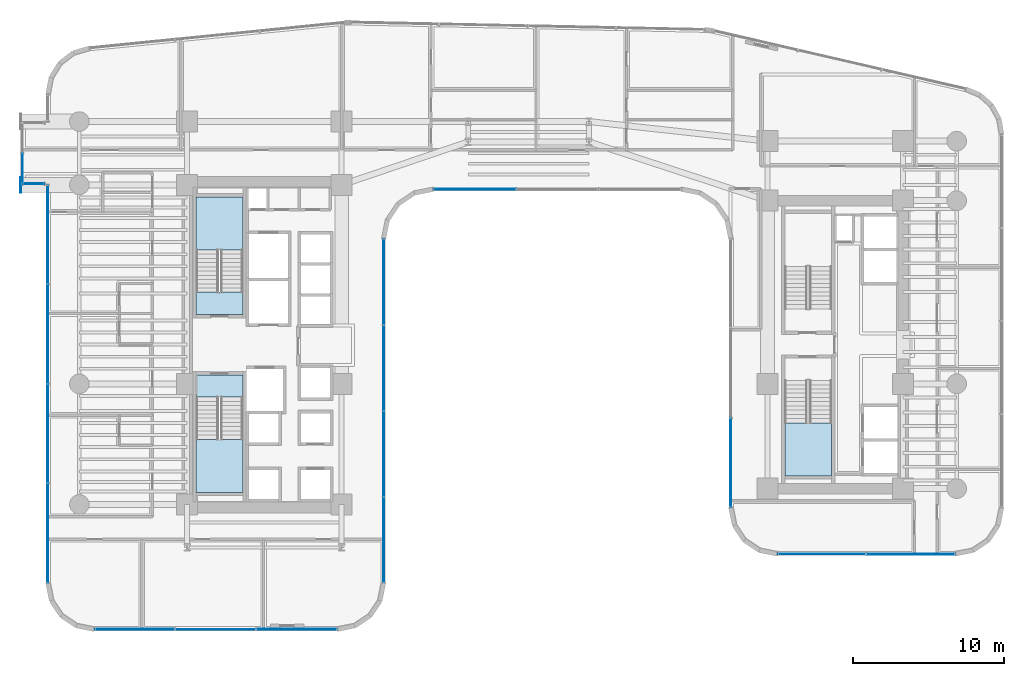
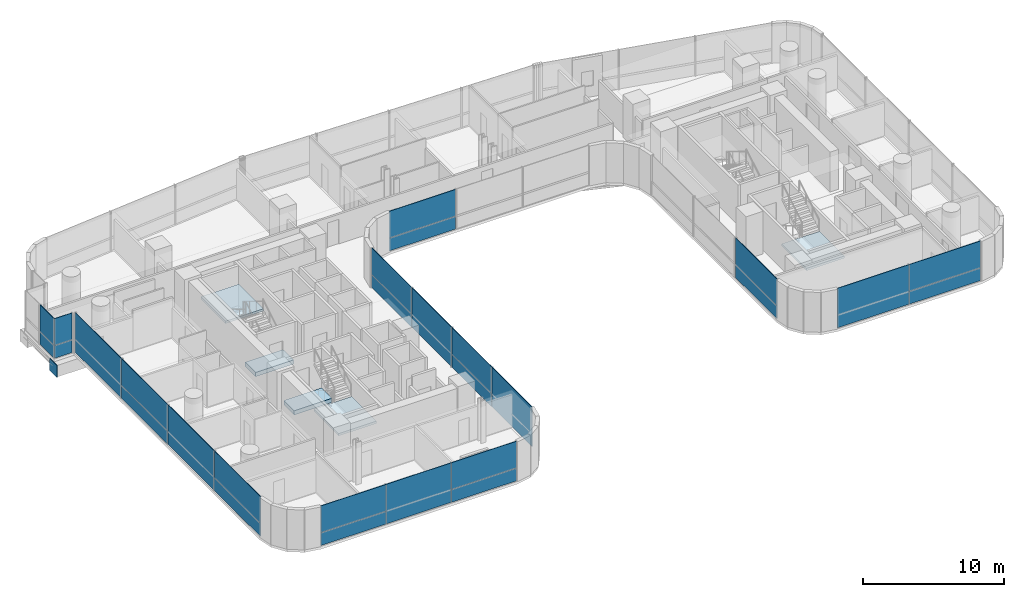
# One storey, part 29 of 41: 29 plates, 5 slabs, 11 elements without a shape of their own.
"""IFC4 building model written with IfcOpenShell, lengths in metres."""

from ifc_helpers import new_model, si_unit, direction, frame, origin, origin_2d, place, context, subcontext, project, spatial, polyline, rectangle, outline, extrude, source, transform, mapped, material, layer, layer_set, type_object, element, aggregate, save


model = new_model("IFC4")

# Units and contexts
model_context = context("Model", 3, precision=1e-05, world=origin(), true_north=direction((0.0, 1.0)))
body_context = subcontext(model_context, "Body", "Model", "MODEL_VIEW")
ifc_project = project(units=[si_unit("LENGTHUNIT", "METRE"), si_unit("AREAUNIT", "SQUARE_METRE"), si_unit("VOLUMEUNIT", "CUBIC_METRE"), si_unit("PLANEANGLEUNIT", "RADIAN"), si_unit("MASSUNIT", "GRAM", prefix="KILO")], contexts=[model_context])

# Site, building, storey
site_placement = place(None, origin())
site = spatial("IfcSite", under=ifc_project, at=site_placement, CompositionType="ELEMENT")
building_placement = place(site_placement, origin())
building = spatial("IfcBuilding", under=site, at=building_placement, Name="Valdorenza Pilgrim Sanctuary Tower", CompositionType="ELEMENT")
storey_placement = place(building_placement, frame((0.0, 0.0, 85.199951171875)))
storey = spatial("IfcBuildingStorey", under=building, at=storey_placement, Name="L21", CompositionType="ELEMENT", Elevation=85.199951171875)

# Stair, slab
ifc_material_1 = material(Name="Concrete C40/50", Category="concrete")
stair_type = type_object("IfcStairType", Name="STR-DOG-CORE", PredefinedType="HALF_TURN_STAIR", material=ifc_material_1)
stair_1_placement = place(storey_placement, origin())
stair_1 = element("IfcStair", 1, at=stair_1_placement, inside=storey, type_object=stair_type, Name="L21 ST-A1", PredefinedType="HALF_TURN_STAIR")
ifc_layer_1 = layer(ifc_material_1, 0.199951171875, Name="Concrete C40/50")
ifc_layer_set_1 = layer_set([ifc_layer_1], Name="Concrete C40/50")
slab_type_1 = type_object("IfcSlabType", Name="SLAB-STL-200", PredefinedType="LANDING", material=ifc_layer_set_1)
slab_1_placement = place(storey_placement, frame((0.0, 0.0, 1.650146484375)))
slab_1 = element("IfcSlab", 2, at=slab_1_placement, type_object=slab_type_1, Name="ST-A1 landing 1", PredefinedType="LANDING", context=body_context, shape_type="SweptSolid", body=[
    extrude(outline(polyline([(-18.93994140625, 6.280029296875), (-18.93994140625, 9.800048828125), (-22.050048828125, 9.800048828125), (-22.050048828125, 6.280029296875), (-18.93994140625, 6.280029296875)])), origin(), (0.0, 0.0, 1.0), 0.199951171875),
])
aggregate(stair_1, [slab_1])

stair_2_placement = place(storey_placement, origin())
stair_2 = element("IfcStair", 3, at=stair_2_placement, inside=storey, type_object=stair_type, Name="L21 ST-A2", PredefinedType="HALF_TURN_STAIR")
slab_2_placement = place(storey_placement, frame((0.0, 0.0, 1.650146484375)))
slab_2 = element("IfcSlab", 4, at=slab_2_placement, type_object=slab_type_1, Name="ST-A2 landing 1", PredefinedType="LANDING", context=body_context, shape_type="SweptSolid", body=[
    extrude(outline(polyline([(-22.050048828125, -6.280029296875), (-22.050048828125, -9.800048828125), (-18.93994140625, -9.800048828125), (-18.93994140625, -6.280029296875), (-22.050048828125, -6.280029296875)])), origin(), (0.0, 0.0, 1.0), 0.199951171875),
])
aggregate(stair_2, [slab_2])

stair_3_placement = place(storey_placement, origin())
stair_3 = element("IfcStair", 5, at=stair_3_placement, inside=storey, type_object=stair_type, Name="L21 ST-B2", PredefinedType="HALF_TURN_STAIR")
slab_3_placement = place(storey_placement, frame((0.0, 0.0, 1.650146484375)))
slab_3 = element("IfcSlab", 6, at=slab_3_placement, type_object=slab_type_1, Name="ST-B2 landing 1", PredefinedType="LANDING", context=body_context, shape_type="SweptSolid", body=[
    extrude(outline(polyline([(17.0, -5.179931640625), (17.0, -8.699951171875), (20.110107421875, -8.699951171875), (20.110107421875, -5.179931640625), (17.0, -5.179931640625)])), origin(), (0.0, 0.0, 1.0), 0.199951171875),
])
aggregate(stair_3, [slab_3])

# Slabs
ifc_material_2 = material(Name="Concrete C50/60", Category="concrete")
ifc_layer_2 = layer(ifc_material_2, 0.39990234375, Name="Concrete C50/60")
ifc_layer_set_2 = layer_set([ifc_layer_2], Name="Concrete C50/60")
slab_type_2 = type_object("IfcSlabType", Name="SLAB-TRF-400", PredefinedType="FLOOR", material=ifc_layer_set_2)
slab_4_placement = place(storey_placement, frame((0.0, 0.0, -0.35986328125)))
element("IfcSlab", 7, at=slab_4_placement, inside=storey, type_object=slab_type_2, Name="L21 ST-A1 Structural Stair Landing Bearing Slab", PredefinedType="FLOOR", context=body_context, shape_type="SweptSolid", body=[
    extrude(outline(polyline([(-22.050048828125, 2.0), (-18.93994140625, 2.0), (-18.93994140625, 3.485107421875), (-22.050048828125, 3.485107421875), (-22.050048828125, 2.0)])), origin(), (0.0, 0.0, 1.0), 0.35986328125),
])
slab_5_placement = place(storey_placement, frame((0.0, 0.0, -0.35986328125)))
element("IfcSlab", 8, at=slab_5_placement, inside=storey, type_object=slab_type_2, Name="L21 ST-A2 Structural Stair Landing Bearing Slab", PredefinedType="FLOOR", context=body_context, shape_type="SweptSolid", body=[
    extrude(outline(polyline([(-22.050048828125, -3.485107421875), (-18.93994140625, -3.485107421875), (-18.93994140625, -2.0), (-22.050048828125, -2.0), (-22.050048828125, -3.485107421875)])), origin(), (0.0, 0.0, 1.0), 0.35986328125),
])

# Plate
ifc_material_3 = material(Name="Steel ASTM A572 Grade 42", Category="steel")
ifc_layer_3 = layer(ifc_material_3, 0.06005859375, Name="Steel ASTM A572 Grade 42")
ifc_layer_set_3 = layer_set([ifc_layer_3], Name="Steel ASTM A572 Grade 42")
plate_type_1 = type_object("IfcPlateType", Name="PLT-CAP-60", PredefinedType="SHEET", material=ifc_layer_set_3)
shared_shape_1 = source(origin(), body_context, "Body", "SweptSolid", [
    extrude(rectangle(XDim=0.06005859375, YDim=1.0400390625, at=origin_2d()), origin(), (0.0, 0.0, 1.0), 1.0400390625),
])
plate_1_placement = place(storey_placement, frame((-33.679931640625, 10.60009765625, -1.260009765625), z_axis=(0.0, 0.0, 1.0), x_axis=(1.0, 0.0, 0.0)))
element("IfcPlate", 9, at=plate_1_placement, inside=storey, type_object=plate_type_1, Name="L21 BOX-WA-L21 Cantilever Tip End Cap S", PredefinedType="SHEET", context=body_context, shape_type="MappedRepresentation", body=[
    mapped(shared_shape_1, transform((0.0, 0.0, 0.0), x_axis=(1.0, 0.0, 0.0), y_axis=(0.0, 1.0, 0.0), z_axis=(0.0, 0.0, 1.0), scale=1.0)),
])

# Curtain wall, plates
ifc_material_4 = material(Name="Curtain-wall IGU glazing", Category="glass")
curtain_wall_type_1 = type_object("IfcCurtainWallType", Name="CW-SYS-03", PredefinedType="NOTDEFINED", material=ifc_material_4)
curtain_wall_1_placement = place(storey_placement, origin())
curtain_wall_1 = element("IfcCurtainWall", 10, at=curtain_wall_1_placement, inside=storey, type_object=curtain_wall_type_1, Name="L21 Curtain Wall CW-L21-1-26", PredefinedType="NOTDEFINED")
ifc_material_5 = material(Name="Honed travertine limestone", Category="masonry")
ifc_layer_4 = layer(ifc_material_5, 0.050048828125, Name="Honed travertine limestone")
ifc_layer_set_4 = layer_set([ifc_layer_4], Name="Honed travertine limestone")
plate_type_2 = type_object("IfcPlateType", Name="CW-SPN-TRV", PredefinedType="USERDEFINED", material=ifc_layer_set_4)
shared_shape_2 = source(origin(), body_context, "Body", "SweptSolid", [
    extrude(rectangle(XDim=5.869140625, YDim=0.06005859375, at=origin_2d()), origin(), (0.0, 0.0, 1.0), 1.10009765625),
])
plate_2_placement = place(storey_placement, frame((25.344482421875, -13.889892578125, 0.010009765625), z_axis=(0.0, 0.0, 1.0), x_axis=(-1.0, 0.0, 0.0)))
plate_2 = element("IfcPlate", 11, at=plate_2_placement, type_object=plate_type_2, Name="CW-L21-1-26 Travertine Spandrel 1", ObjectType="SPANDREL", PredefinedType="USERDEFINED", context=body_context, shape_type="MappedRepresentation", body=[
    mapped(shared_shape_2, transform((0.0, 0.0, 0.0), x_axis=(1.0, 0.0, 0.0), y_axis=(0.0, 1.0, 0.0), z_axis=(0.0, 0.0, 1.0), scale=1.0)),
])
ifc_material_6 = material(Name="Ceramic-fritted low-E IGU glazing", Category="glass")
ifc_layer_5 = layer(ifc_material_6, 0.035888671875, Name="Ceramic-fritted low-E IGU glazing")
ifc_layer_set_5 = layer_set([ifc_layer_5], Name="Ceramic-fritted low-E IGU glazing")
plate_type_3 = type_object("IfcPlateType", Name="CW-GLZ-IGU", PredefinedType="USERDEFINED", material=ifc_layer_set_5)
shared_shape_3 = source(origin(), body_context, "Body", "SweptSolid", [
    extrude(rectangle(XDim=5.869140625, YDim=0.050048828125, at=origin_2d()), origin(), (0.0, 0.0, 1.0), 2.320068359375),
])
plate_3_placement = place(storey_placement, frame((25.344482421875, -13.889892578125, 1.1298828125), z_axis=(0.0, 0.0, 1.0), x_axis=(-1.0, 0.0, 0.0)))
plate_3 = element("IfcPlate", 12, at=plate_3_placement, type_object=plate_type_3, Name="CW-L21-1-26 Facade Panel 1", ObjectType="GLAZING", PredefinedType="USERDEFINED", context=body_context, shape_type="MappedRepresentation", body=[
    mapped(shared_shape_3, transform((0.0, 0.0, 0.0), x_axis=(1.0, 0.0, 0.0), y_axis=(0.0, 1.0, 0.0), z_axis=(0.0, 0.0, 1.0), scale=1.0)),
])
shared_shape_4 = source(origin(), body_context, "Body", "SweptSolid", [
    extrude(rectangle(XDim=5.869140625, YDim=0.050048828125, at=origin_2d()), origin(), (0.0, 0.0, 1.0), 3.43994140625),
])
plate_4_placement = place(storey_placement, frame((19.455322265625, -13.889892578125, 0.010009765625), z_axis=(0.0, 0.0, 1.0), x_axis=(-1.0, 0.0, 0.0)))
plate_4 = element("IfcPlate", 13, at=plate_4_placement, type_object=plate_type_3, Name="CW-L21-1-26 Full-Height Facade Panel 2", ObjectType="GLAZING", PredefinedType="USERDEFINED", context=body_context, shape_type="MappedRepresentation", body=[
    mapped(shared_shape_4, transform((0.0, 0.0, 0.0), x_axis=(1.0, 0.0, 0.0), y_axis=(0.0, 1.0, 0.0), z_axis=(0.0, 0.0, 1.0), scale=1.0)),
])
aggregate(curtain_wall_1, [plate_2, plate_3, plate_4])

curtain_wall_2_placement = place(storey_placement, origin())
curtain_wall_2 = element("IfcCurtainWall", 14, at=curtain_wall_2_placement, inside=storey, type_object=curtain_wall_type_1, Name="L21 Curtain Wall CW-L21-1-31", PredefinedType="NOTDEFINED")
shared_shape_5 = source(origin(), body_context, "Body", "SweptSolid", [
    extrude(rectangle(XDim=5.913330078125, YDim=0.06005859375, at=origin_2d()), origin(), (0.0, 0.0, 1.0), 1.10009765625),
])
plate_5_placement = place(storey_placement, frame((13.409912109375, -7.822509765625, 0.010009765625), z_axis=(0.0, 0.0, 1.0), x_axis=(0.0, 1.0, 0.0)))
plate_5 = element("IfcPlate", 15, at=plate_5_placement, type_object=plate_type_2, Name="CW-L21-1-31 Travertine Spandrel 1", ObjectType="SPANDREL", PredefinedType="USERDEFINED", context=body_context, shape_type="MappedRepresentation", body=[
    mapped(shared_shape_5, transform((0.0, 0.0, 0.0), x_axis=(1.0, 0.0, 0.0), y_axis=(0.0, 1.0, 0.0), z_axis=(0.0, 0.0, 1.0), scale=1.0)),
])
shared_shape_6 = source(origin(), body_context, "Body", "SweptSolid", [
    extrude(rectangle(XDim=5.913330078125, YDim=0.050048828125, at=origin_2d()), origin(), (0.0, 0.0, 1.0), 2.320068359375),
])
plate_6_placement = place(storey_placement, frame((13.409912109375, -7.822509765625, 1.1298828125), z_axis=(0.0, 0.0, 1.0), x_axis=(0.0, 1.0, 0.0)))
plate_6 = element("IfcPlate", 16, at=plate_6_placement, type_object=plate_type_3, Name="CW-L21-1-31 Facade Panel 1", ObjectType="GLAZING", PredefinedType="USERDEFINED", context=body_context, shape_type="MappedRepresentation", body=[
    mapped(shared_shape_6, transform((0.0, 0.0, 0.0), x_axis=(1.0, 0.0, 0.0), y_axis=(0.0, 1.0, 0.0), z_axis=(0.0, 0.0, 1.0), scale=1.0)),
])
aggregate(curtain_wall_2, [plate_5, plate_6])

curtain_wall_type_2 = type_object("IfcCurtainWallType", Name="CW-SYS-02", PredefinedType="NOTDEFINED", material=ifc_material_4)
curtain_wall_3_placement = place(storey_placement, origin())
curtain_wall_3 = element("IfcCurtainWall", 17, at=curtain_wall_3_placement, inside=storey, type_object=curtain_wall_type_2, Name="L21 Curtain Wall CW-L21-1-36", PredefinedType="NOTDEFINED")
shared_shape_7 = source(origin(), body_context, "Body", "SweptSolid", [
    extrude(rectangle(XDim=5.453857421875, YDim=0.06005859375, at=origin_2d()), origin(), (0.0, 0.0, 1.0), 1.10009765625),
])
plate_7_placement = place(storey_placement, frame((-3.573974609375, 10.31005859375, 0.010009765625), z_axis=(0.0, 0.0, 1.0), x_axis=(-1.0, 0.0, 0.0)))
plate_7 = element("IfcPlate", 18, at=plate_7_placement, type_object=plate_type_2, Name="CW-L21-1-36 Travertine Spandrel 3", ObjectType="SPANDREL", PredefinedType="USERDEFINED", context=body_context, shape_type="MappedRepresentation", body=[
    mapped(shared_shape_7, transform((0.0, 0.0, 0.0), x_axis=(1.0, 0.0, 0.0), y_axis=(0.0, 1.0, 0.0), z_axis=(0.0, 0.0, 1.0), scale=1.0)),
])
shared_shape_8 = source(origin(), body_context, "Body", "SweptSolid", [
    extrude(rectangle(XDim=5.453857421875, YDim=0.050048828125, at=origin_2d()), origin(), (0.0, 0.0, 1.0), 2.320068359375),
])
plate_8_placement = place(storey_placement, frame((-3.573974609375, 10.31005859375, 1.1298828125), z_axis=(0.0, 0.0, 1.0), x_axis=(-1.0, 0.0, 0.0)))
plate_8 = element("IfcPlate", 19, at=plate_8_placement, type_object=plate_type_3, Name="CW-L21-1-36 Facade Panel 3", ObjectType="GLAZING", PredefinedType="USERDEFINED", context=body_context, shape_type="MappedRepresentation", body=[
    mapped(shared_shape_8, transform((0.0, 0.0, 0.0), x_axis=(1.0, 0.0, 0.0), y_axis=(0.0, 1.0, 0.0), z_axis=(0.0, 0.0, 1.0), scale=1.0)),
])
aggregate(curtain_wall_3, [plate_7, plate_8])

curtain_wall_4_placement = place(storey_placement, origin())
curtain_wall_4 = element("IfcCurtainWall", 20, at=curtain_wall_4_placement, inside=storey, type_object=curtain_wall_type_2, Name="L21 Curtain Wall CW-L21-1-41", PredefinedType="NOTDEFINED")
shared_shape_9 = source(origin(), body_context, "Body", "SweptSolid", [
    extrude(rectangle(XDim=5.679931640625, YDim=0.06005859375, at=origin_2d()), origin(), (0.0, 0.0, 1.0), 1.10009765625),
])
plate_9_placement = place(storey_placement, frame((-9.610107421875, 4.160888671875, 0.010009765625), z_axis=(0.0, 0.0, 1.0), x_axis=(0.0, -1.0, 0.0)))
plate_9 = element("IfcPlate", 21, at=plate_9_placement, type_object=plate_type_2, Name="CW-L21-1-41 Travertine Spandrel 1", ObjectType="SPANDREL", PredefinedType="USERDEFINED", context=body_context, shape_type="MappedRepresentation", body=[
    mapped(shared_shape_9, transform((0.0, 0.0, 0.0), x_axis=(1.0, 0.0, 0.0), y_axis=(0.0, 1.0, 0.0), z_axis=(0.0, 0.0, 1.0), scale=1.0)),
])
plate_10_placement = place(storey_placement, frame((-9.610107421875, -7.2392578125, 0.010009765625), z_axis=(0.0, 0.0, 1.0), x_axis=(0.0, -1.0, 0.0)))
plate_10 = element("IfcPlate", 22, at=plate_10_placement, type_object=plate_type_2, Name="CW-L21-1-41 Travertine Spandrel 3", ObjectType="SPANDREL", PredefinedType="USERDEFINED", context=body_context, shape_type="MappedRepresentation", body=[
    mapped(shared_shape_9, transform((0.0, 0.0, 0.0), x_axis=(1.0, 0.0, 0.0), y_axis=(0.0, 1.0, 0.0), z_axis=(0.0, 0.0, 1.0), scale=1.0)),
])
shared_shape_10 = source(origin(), body_context, "Body", "SweptSolid", [
    extrude(rectangle(XDim=5.679931640625, YDim=0.050048828125, at=origin_2d()), origin(), (0.0, 0.0, 1.0), 2.320068359375),
])
plate_11_placement = place(storey_placement, frame((-9.610107421875, 4.160888671875, 1.1298828125), z_axis=(0.0, 0.0, 1.0), x_axis=(0.0, -1.0, 0.0)))
plate_11 = element("IfcPlate", 23, at=plate_11_placement, type_object=plate_type_3, Name="CW-L21-1-41 Facade Panel 1", ObjectType="GLAZING", PredefinedType="USERDEFINED", context=body_context, shape_type="MappedRepresentation", body=[
    mapped(shared_shape_10, transform((0.0, 0.0, 0.0), x_axis=(1.0, 0.0, 0.0), y_axis=(0.0, 1.0, 0.0), z_axis=(0.0, 0.0, 1.0), scale=1.0)),
])
plate_12_placement = place(storey_placement, frame((-9.610107421875, -7.2392578125, 1.1298828125), z_axis=(0.0, 0.0, 1.0), x_axis=(0.0, -1.0, 0.0)))
plate_12 = element("IfcPlate", 24, at=plate_12_placement, type_object=plate_type_3, Name="CW-L21-1-41 Facade Panel 3", ObjectType="GLAZING", PredefinedType="USERDEFINED", context=body_context, shape_type="MappedRepresentation", body=[
    mapped(shared_shape_10, transform((0.0, 0.0, 0.0), x_axis=(1.0, 0.0, 0.0), y_axis=(0.0, 1.0, 0.0), z_axis=(0.0, 0.0, 1.0), scale=1.0)),
])
shared_shape_11 = source(origin(), body_context, "Body", "SweptSolid", [
    extrude(rectangle(XDim=5.679931640625, YDim=0.050048828125, at=origin_2d()), origin(), (0.0, 0.0, 1.0), 3.43994140625),
])
plate_13_placement = place(storey_placement, frame((-9.610107421875, -1.539306640625, 0.010009765625), z_axis=(0.0, 0.0, 1.0), x_axis=(0.0, -1.0, 0.0)))
plate_13 = element("IfcPlate", 25, at=plate_13_placement, type_object=plate_type_3, Name="CW-L21-1-41 Full-Height Facade Panel 2", ObjectType="GLAZING", PredefinedType="USERDEFINED", context=body_context, shape_type="MappedRepresentation", body=[
    mapped(shared_shape_11, transform((0.0, 0.0, 0.0), x_axis=(1.0, 0.0, 0.0), y_axis=(0.0, 1.0, 0.0), z_axis=(0.0, 0.0, 1.0), scale=1.0)),
])
plate_14_placement = place(storey_placement, frame((-9.610107421875, -12.939208984375, 0.010009765625), z_axis=(0.0, 0.0, 1.0), x_axis=(0.0, -1.0, 0.0)))
plate_14 = element("IfcPlate", 26, at=plate_14_placement, type_object=plate_type_3, Name="CW-L21-1-41 Full-Height Facade Panel 4", ObjectType="GLAZING", PredefinedType="USERDEFINED", context=body_context, shape_type="MappedRepresentation", body=[
    mapped(shared_shape_11, transform((0.0, 0.0, 0.0), x_axis=(1.0, 0.0, 0.0), y_axis=(0.0, 1.0, 0.0), z_axis=(0.0, 0.0, 1.0), scale=1.0)),
])
aggregate(curtain_wall_4, [plate_9, plate_11, plate_13, plate_10, plate_12, plate_14])

curtain_wall_5_placement = place(storey_placement, origin())
curtain_wall_5 = element("IfcCurtainWall", 27, at=curtain_wall_5_placement, inside=storey, type_object=curtain_wall_type_2, Name="L21 Curtain Wall CW-L21-1-46", PredefinedType="NOTDEFINED")
shared_shape_12 = source(origin(), body_context, "Body", "SweptSolid", [
    extrude(rectangle(XDim=5.339599609375, YDim=0.06005859375, at=origin_2d()), origin(), (0.0, 0.0, 1.0), 1.10009765625),
])
plate_15_placement = place(storey_placement, frame((-15.390380859375, -18.889892578125, 0.010009765625), z_axis=(0.0, 0.0, 1.0), x_axis=(-1.0, 0.0, 0.0)))
plate_15 = element("IfcPlate", 28, at=plate_15_placement, type_object=plate_type_2, Name="CW-L21-1-46 Travertine Spandrel 1", ObjectType="SPANDREL", PredefinedType="USERDEFINED", context=body_context, shape_type="MappedRepresentation", body=[
    mapped(shared_shape_12, transform((0.0, 0.0, 0.0), x_axis=(1.0, 0.0, 0.0), y_axis=(0.0, 1.0, 0.0), z_axis=(0.0, 0.0, 1.0), scale=1.0)),
])
plate_16_placement = place(storey_placement, frame((-26.109619140625, -18.889892578125, 0.010009765625), z_axis=(0.0, 0.0, 1.0), x_axis=(-1.0, 0.0, 0.0)))
plate_16 = element("IfcPlate", 29, at=plate_16_placement, type_object=plate_type_2, Name="CW-L21-1-46 Travertine Spandrel 3", ObjectType="SPANDREL", PredefinedType="USERDEFINED", context=body_context, shape_type="MappedRepresentation", body=[
    mapped(shared_shape_12, transform((0.0, 0.0, 0.0), x_axis=(1.0, 0.0, 0.0), y_axis=(0.0, 1.0, 0.0), z_axis=(0.0, 0.0, 1.0), scale=1.0)),
])
shared_shape_13 = source(origin(), body_context, "Body", "SweptSolid", [
    extrude(rectangle(XDim=5.339599609375, YDim=0.050048828125, at=origin_2d()), origin(), (0.0, 0.0, 1.0), 2.320068359375),
])
plate_17_placement = place(storey_placement, frame((-15.390380859375, -18.889892578125, 1.1298828125), z_axis=(0.0, 0.0, 1.0), x_axis=(-1.0, 0.0, 0.0)))
plate_17 = element("IfcPlate", 30, at=plate_17_placement, type_object=plate_type_3, Name="CW-L21-1-46 Facade Panel 1", ObjectType="GLAZING", PredefinedType="USERDEFINED", context=body_context, shape_type="MappedRepresentation", body=[
    mapped(shared_shape_13, transform((0.0, 0.0, 0.0), x_axis=(1.0, 0.0, 0.0), y_axis=(0.0, 1.0, 0.0), z_axis=(0.0, 0.0, 1.0), scale=1.0)),
])
plate_18_placement = place(storey_placement, frame((-26.109619140625, -18.889892578125, 1.1298828125), z_axis=(0.0, 0.0, 1.0), x_axis=(-1.0, 0.0, 0.0)))
plate_18 = element("IfcPlate", 31, at=plate_18_placement, type_object=plate_type_3, Name="CW-L21-1-46 Facade Panel 3", ObjectType="GLAZING", PredefinedType="USERDEFINED", context=body_context, shape_type="MappedRepresentation", body=[
    mapped(shared_shape_13, transform((0.0, 0.0, 0.0), x_axis=(1.0, 0.0, 0.0), y_axis=(0.0, 1.0, 0.0), z_axis=(0.0, 0.0, 1.0), scale=1.0)),
])
shared_shape_14 = source(origin(), body_context, "Body", "SweptSolid", [
    extrude(rectangle(XDim=5.339599609375, YDim=0.050048828125, at=origin_2d()), origin(), (0.0, 0.0, 1.0), 3.43994140625),
])
plate_19_placement = place(storey_placement, frame((-20.75, -18.889892578125, 0.010009765625), z_axis=(0.0, 0.0, 1.0), x_axis=(-1.0, 0.0, 0.0)))
plate_19 = element("IfcPlate", 32, at=plate_19_placement, type_object=plate_type_3, Name="CW-L21-1-46 Full-Height Facade Panel 2", ObjectType="GLAZING", PredefinedType="USERDEFINED", context=body_context, shape_type="MappedRepresentation", body=[
    mapped(shared_shape_14, transform((0.0, 0.0, 0.0), x_axis=(1.0, 0.0, 0.0), y_axis=(0.0, 1.0, 0.0), z_axis=(0.0, 0.0, 1.0), scale=1.0)),
])
aggregate(curtain_wall_5, [plate_15, plate_17, plate_19, plate_16, plate_18])

curtain_wall_6_placement = place(storey_placement, origin())
curtain_wall_6 = element("IfcCurtainWall", 33, at=curtain_wall_6_placement, inside=storey, type_object=curtain_wall_type_2, Name="L21 Curtain Wall CW-L21-BOX-WA-L21-S", PredefinedType="NOTDEFINED")
shared_shape_15 = source(origin(), body_context, "Body", "SweptSolid", [
    extrude(rectangle(XDim=1.43994140625, YDim=0.06005859375, at=origin_2d()), origin(), (0.0, 0.0, 1.0), 1.10009765625),
])
plate_20_placement = place(storey_placement, frame((-32.840087890625, 10.679931640625, 0.010009765625), z_axis=(0.0, 0.0, 1.0), x_axis=(-1.0, 0.0, 0.0)))
plate_20 = element("IfcPlate", 34, at=plate_20_placement, type_object=plate_type_2, Name="CW-L21-BOX-WA-L21-S Travertine Spandrel 1", ObjectType="SPANDREL", PredefinedType="USERDEFINED", context=body_context, shape_type="MappedRepresentation", body=[
    mapped(shared_shape_15, transform((0.0, 0.0, 0.0), x_axis=(1.0, 0.0, 0.0), y_axis=(0.0, 1.0, 0.0), z_axis=(0.0, 0.0, 1.0), scale=1.0)),
])
shared_shape_16 = source(origin(), body_context, "Body", "SweptSolid", [
    extrude(rectangle(XDim=1.43994140625, YDim=0.050048828125, at=origin_2d()), origin(), (0.0, 0.0, 1.0), 2.320068359375),
])
plate_21_placement = place(storey_placement, frame((-32.840087890625, 10.679931640625, 1.1298828125), z_axis=(0.0, 0.0, 1.0), x_axis=(-1.0, 0.0, 0.0)))
plate_21 = element("IfcPlate", 35, at=plate_21_placement, type_object=plate_type_3, Name="CW-L21-BOX-WA-L21-S Facade Panel 1", ObjectType="GLAZING", PredefinedType="USERDEFINED", context=body_context, shape_type="MappedRepresentation", body=[
    mapped(shared_shape_16, transform((0.0, 0.0, 0.0), x_axis=(1.0, 0.0, 0.0), y_axis=(0.0, 1.0, 0.0), z_axis=(0.0, 0.0, 1.0), scale=1.0)),
])
aggregate(curtain_wall_6, [plate_20, plate_21])

curtain_wall_7_placement = place(storey_placement, origin())
curtain_wall_7 = element("IfcCurtainWall", 36, at=curtain_wall_7_placement, inside=storey, type_object=curtain_wall_type_2, Name="L21 Curtain Wall CW-L21-1-1S1", PredefinedType="NOTDEFINED")
shared_shape_17 = source(origin(), body_context, "Body", "SweptSolid", [
    extrude(rectangle(XDim=6.577392578125, YDim=0.06005859375, at=origin_2d()), origin(), (0.0, 0.0, 1.0), 1.10009765625),
])
plate_22_placement = place(storey_placement, frame((-31.889892578125, -12.490478515625, 0.010009765625), z_axis=(0.0, 0.0, 1.0), x_axis=(0.0, 1.0, 0.0)))
plate_22 = element("IfcPlate", 37, at=plate_22_placement, type_object=plate_type_2, Name="CW-L21-1-1S1 Travertine Spandrel 1", ObjectType="SPANDREL", PredefinedType="USERDEFINED", context=body_context, shape_type="MappedRepresentation", body=[
    mapped(shared_shape_17, transform((0.0, 0.0, 0.0), x_axis=(1.0, 0.0, 0.0), y_axis=(0.0, 1.0, 0.0), z_axis=(0.0, 0.0, 1.0), scale=1.0)),
])
plate_23_placement = place(storey_placement, frame((-31.889892578125, 0.7041015625, 0.010009765625), z_axis=(0.0, 0.0, 1.0), x_axis=(0.0, 1.0, 0.0)))
plate_23 = element("IfcPlate", 38, at=plate_23_placement, type_object=plate_type_2, Name="CW-L21-1-1S1 Travertine Spandrel 3", ObjectType="SPANDREL", PredefinedType="USERDEFINED", context=body_context, shape_type="MappedRepresentation", body=[
    mapped(shared_shape_17, transform((0.0, 0.0, 0.0), x_axis=(1.0, 0.0, 0.0), y_axis=(0.0, 1.0, 0.0), z_axis=(0.0, 0.0, 1.0), scale=1.0)),
])
shared_shape_18 = source(origin(), body_context, "Body", "SweptSolid", [
    extrude(rectangle(XDim=6.577392578125, YDim=0.050048828125, at=origin_2d()), origin(), (0.0, 0.0, 1.0), 2.320068359375),
])
plate_24_placement = place(storey_placement, frame((-31.889892578125, -12.490478515625, 1.1298828125), z_axis=(0.0, 0.0, 1.0), x_axis=(0.0, 1.0, 0.0)))
plate_24 = element("IfcPlate", 39, at=plate_24_placement, type_object=plate_type_3, Name="CW-L21-1-1S1 Facade Panel 1", ObjectType="GLAZING", PredefinedType="USERDEFINED", context=body_context, shape_type="MappedRepresentation", body=[
    mapped(shared_shape_18, transform((0.0, 0.0, 0.0), x_axis=(1.0, 0.0, 0.0), y_axis=(0.0, 1.0, 0.0), z_axis=(0.0, 0.0, 1.0), scale=1.0)),
])
plate_25_placement = place(storey_placement, frame((-31.889892578125, 0.7041015625, 1.1298828125), z_axis=(0.0, 0.0, 1.0), x_axis=(0.0, 1.0, 0.0)))
plate_25 = element("IfcPlate", 40, at=plate_25_placement, type_object=plate_type_3, Name="CW-L21-1-1S1 Facade Panel 3", ObjectType="GLAZING", PredefinedType="USERDEFINED", context=body_context, shape_type="MappedRepresentation", body=[
    mapped(shared_shape_18, transform((0.0, 0.0, 0.0), x_axis=(1.0, 0.0, 0.0), y_axis=(0.0, 1.0, 0.0), z_axis=(0.0, 0.0, 1.0), scale=1.0)),
])
shared_shape_19 = source(origin(), body_context, "Body", "SweptSolid", [
    extrude(rectangle(XDim=6.577392578125, YDim=0.050048828125, at=origin_2d()), origin(), (0.0, 0.0, 1.0), 3.43994140625),
])
plate_26_placement = place(storey_placement, frame((-31.889892578125, -5.893310546875, 0.010009765625), z_axis=(0.0, 0.0, 1.0), x_axis=(0.0, 1.0, 0.0)))
plate_26 = element("IfcPlate", 41, at=plate_26_placement, type_object=plate_type_3, Name="CW-L21-1-1S1 Full-Height Facade Panel 2", ObjectType="GLAZING", PredefinedType="USERDEFINED", context=body_context, shape_type="MappedRepresentation", body=[
    mapped(shared_shape_19, transform((0.0, 0.0, 0.0), x_axis=(1.0, 0.0, 0.0), y_axis=(0.0, 1.0, 0.0), z_axis=(0.0, 0.0, 1.0), scale=1.0)),
])
plate_27_placement = place(storey_placement, frame((-31.889892578125, 7.301513671875, 0.010009765625), z_axis=(0.0, 0.0, 1.0), x_axis=(0.0, 1.0, 0.0)))
plate_27 = element("IfcPlate", 42, at=plate_27_placement, type_object=plate_type_3, Name="CW-L21-1-1S1 Full-Height Facade Panel 4", ObjectType="GLAZING", PredefinedType="USERDEFINED", context=body_context, shape_type="MappedRepresentation", body=[
    mapped(shared_shape_19, transform((0.0, 0.0, 0.0), x_axis=(1.0, 0.0, 0.0), y_axis=(0.0, 1.0, 0.0), z_axis=(0.0, 0.0, 1.0), scale=1.0)),
])
aggregate(curtain_wall_7, [plate_22, plate_24, plate_26, plate_23, plate_25, plate_27])

curtain_wall_8_placement = place(storey_placement, origin())
curtain_wall_8 = element("IfcCurtainWall", 43, at=curtain_wall_8_placement, inside=storey, type_object=curtain_wall_type_2, Name="L21 Curtain Wall CW-L21-BOX-WA-L21-F", PredefinedType="NOTDEFINED")
shared_shape_20 = source(origin(), body_context, "Body", "SweptSolid", [
    extrude(rectangle(XDim=2.0, YDim=0.06005859375, at=origin_2d()), origin(), (0.0, 0.0, 1.0), 1.10009765625),
])
plate_28_placement = place(storey_placement, frame((-33.570068359375, 11.68994140625, 0.010009765625), z_axis=(0.0, 0.0, 1.0), x_axis=(0.0, 1.0, 0.0)))
plate_28 = element("IfcPlate", 44, at=plate_28_placement, type_object=plate_type_2, Name="CW-L21-BOX-WA-L21-F Travertine Spandrel 1", ObjectType="SPANDREL", PredefinedType="USERDEFINED", context=body_context, shape_type="MappedRepresentation", body=[
    mapped(shared_shape_20, transform((0.0, 0.0, 0.0), x_axis=(1.0, 0.0, 0.0), y_axis=(0.0, 1.0, 0.0), z_axis=(0.0, 0.0, 1.0), scale=1.0)),
])
shared_shape_21 = source(origin(), body_context, "Body", "SweptSolid", [
    extrude(rectangle(XDim=2.0, YDim=0.050048828125, at=origin_2d()), origin(), (0.0, 0.0, 1.0), 2.320068359375),
])
plate_29_placement = place(storey_placement, frame((-33.570068359375, 11.68994140625, 1.1298828125), z_axis=(0.0, 0.0, 1.0), x_axis=(0.0, 1.0, 0.0)))
plate_29 = element("IfcPlate", 45, at=plate_29_placement, type_object=plate_type_3, Name="CW-L21-BOX-WA-L21-F Facade Panel 1", ObjectType="GLAZING", PredefinedType="USERDEFINED", context=body_context, shape_type="MappedRepresentation", body=[
    mapped(shared_shape_21, transform((0.0, 0.0, 0.0), x_axis=(1.0, 0.0, 0.0), y_axis=(0.0, 1.0, 0.0), z_axis=(0.0, 0.0, 1.0), scale=1.0)),
])
aggregate(curtain_wall_8, [plate_28, plate_29])

save(model, "model.ifc")
